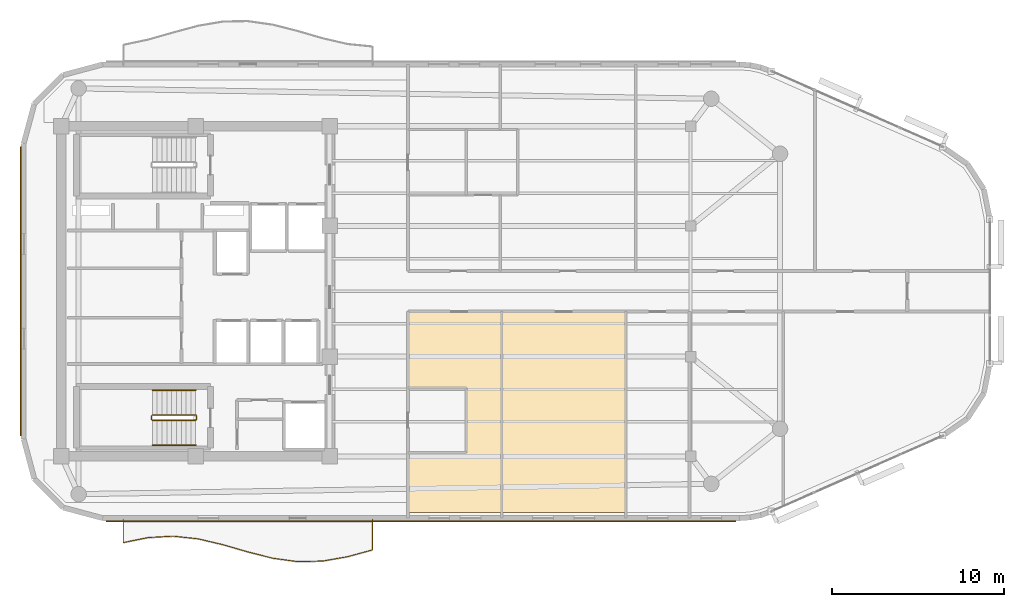
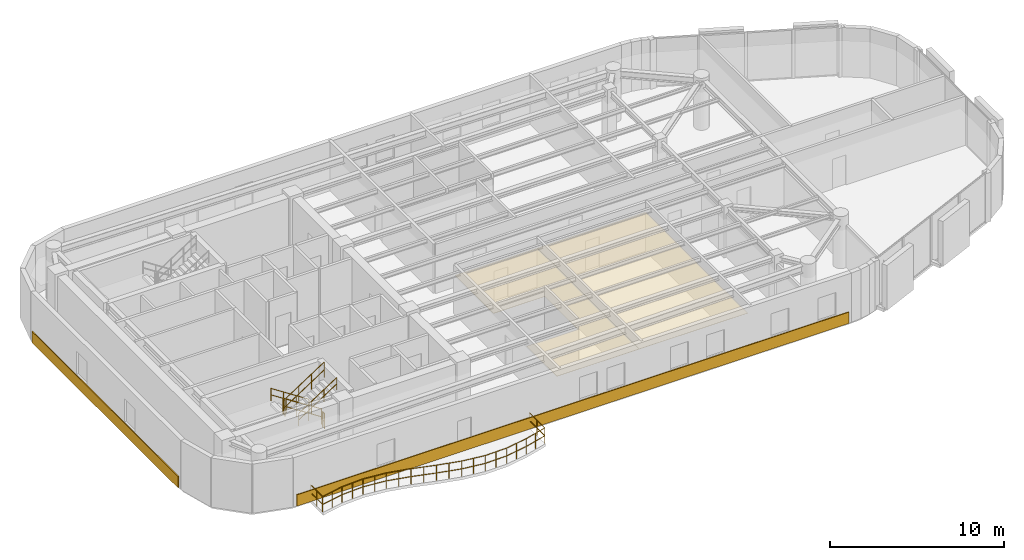
# One storey, part 11 of 14: 7 railings, 4 coverings.
"""IFC4 building model written with IfcOpenShell, lengths in metres."""

from ifc_helpers import new_model, si_unit, direction, frame, origin, origin_2d, place, context, subcontext, project, spatial, polyline, rectangle, circle, outline, extrude, material, layer, layer_set, type_object, element, save


model = new_model("IFC4")

# Units and contexts
model_context = context("Model", 3, precision=1e-05, world=origin(), true_north=direction((0.0, 1.0)))
body_context = subcontext(model_context, "Body", "Model", "MODEL_VIEW")
ifc_project = project(units=[si_unit("LENGTHUNIT", "METRE"), si_unit("AREAUNIT", "SQUARE_METRE"), si_unit("VOLUMEUNIT", "CUBIC_METRE"), si_unit("PLANEANGLEUNIT", "RADIAN"), si_unit("MASSUNIT", "GRAM", prefix="KILO")], contexts=[model_context])

# Site, building, storey
site_placement = place(None, origin())
site = spatial("IfcSite", under=ifc_project, at=site_placement, CompositionType="ELEMENT")
building_placement = place(site_placement, origin())
building = spatial("IfcBuilding", under=site, at=building_placement, Name="An Khanh Terracotta Commons", CompositionType="ELEMENT")
storey_placement = place(building_placement, frame((0.0, 0.0, 284.35009765625)))
storey = spatial("IfcBuildingStorey", under=building, at=storey_placement, Name="L74", CompositionType="ELEMENT", Elevation=284.35009765625)

# Coverings
ifc_material_1 = material(Name="Perforated Mineral-Fibre Acoustic Tile")
ifc_layer_1 = layer(ifc_material_1, 0.02001953125, Name="Perforated Mineral-Fibre Acoustic Tile")
ifc_layer_set_1 = layer_set([ifc_layer_1], Name="Perforated Mineral-Fibre Acoustic Tile")
covering_type_1 = type_object("IfcCoveringType", Name="CEIL-ACOUSTIC-18", PredefinedType="CEILING", material=ifc_layer_set_1)
covering_1_placement = place(storey_placement, frame((0.0, 0.0, 2.64990234375)))
element("IfcCovering", 1, at=covering_1_placement, inside=storey, type_object=covering_type_1, Name="L74 Collaborative Study Lounge Ceiling", PredefinedType="CEILING", context=body_context, shape_type="SweptSolid", body=[
    extrude(outline(polyline([(41.75, 11.1201171875), (41.75, 11.719970703125), (41.75, 14.179931640625), (41.75, 14.60009765625), (45.14990234375, 14.60009765625), (45.14990234375, 18.39990234375), (41.75, 18.39990234375), (41.75, 22.820068359375), (47.2109375, 22.820068359375), (47.2109375, 11.1201171875), (41.75, 11.1201171875)])), origin(), (0.0, 0.0, 1.0), 0.02001953125),
])
covering_2_placement = place(storey_placement, frame((0.0, 0.0, 2.64990234375)))
element("IfcCovering", 2, at=covering_2_placement, inside=storey, type_object=covering_type_1, Name="L74 Collaborative Study Lounge Ceiling", PredefinedType="CEILING", context=body_context, shape_type="SweptSolid", body=[
    extrude(outline(polyline([(47.2109375, 11.1201171875), (47.2109375, 22.820068359375), (54.41796875, 22.820068359375), (54.41796875, 11.1201171875), (47.2109375, 11.1201171875)])), origin(), (0.0, 0.0, 1.0), 0.02001953125),
])
ifc_material_2 = material(Name="Fired Terracotta Rainscreen Cladding", Category="masonry")
ifc_layer_2 = layer(ifc_material_2, 0.06005859375, Name="Fired Terracotta Rainscreen Cladding")
ifc_layer_set_2 = layer_set([ifc_layer_2], Name="Fired Terracotta Rainscreen Cladding")
covering_type_2 = type_object("IfcCoveringType", Name="COV-SPANDREL-TERRA", PredefinedType="CLADDING", material=ifc_layer_set_2)
covering_3_placement = place(storey_placement, frame((42.514892578125, 10.6201171875, 0.02001953125), z_axis=(0.0, 0.0, 1.0), x_axis=(1.0, 0.0, 0.0)))
element("IfcCovering", 3, at=covering_3_placement, inside=storey, type_object=covering_type_2, Name="L74 Terracotta Spandrel Cladding 4", PredefinedType="CLADDING", context=body_context, shape_type="SweptSolid", body=[
    extrude(rectangle(XDim=36.6298828125, YDim=0.06005859375, at=origin_2d()), origin(), (0.0, 0.0, 1.0), 0.800048828125),
])
covering_4_placement = place(storey_placement, frame((19.219970703125, 24.0, 0.02001953125), z_axis=(0.0, 0.0, 1.0), x_axis=(0.0, -1.0, 0.0)))
element("IfcCovering", 4, at=covering_4_placement, inside=storey, type_object=covering_type_2, Name="L74 Terracotta Spandrel Cladding 24", PredefinedType="CLADDING", context=body_context, shape_type="SweptSolid", body=[
    extrude(rectangle(XDim=16.800048828125, YDim=0.06005859375, at=origin_2d()), origin(), (0.0, 0.0, 1.0), 0.800048828125),
])

# Railings
ifc_material_3 = material(Name="Brushed Stainless Steel 316", Category="steel")
railing_type_1 = type_object("IfcRailingType", Name="RAIL-BALUSTRADE-1100", PredefinedType="BALUSTRADE", material=ifc_material_3)
railing_1_placement = place(storey_placement, frame((25.199951171875, 10.739990234375, 0.0)))
element("IfcRailing", 5, at=railing_1_placement, inside=storey, type_object=railing_type_1, Name="L74 S Wave Balcony Guard Balustrade", PredefinedType="BALUSTRADE", context=body_context, shape_type="SweptSolid", body=[
    extrude(circle(Radius=0.02392578125, at=origin_2d()), frame((0.0, 0.0, 1.076171875), z_axis=(0.0, -1.0, 0.0), x_axis=(1.0, 0.0, 0.0)), (0.0, 0.0, 1.0), 1.35498046875),
    extrude(circle(Radius=0.02392578125, at=origin_2d()), frame((0.0, 0.0, 0.52587890625), z_axis=(0.0, -1.0, 0.0), x_axis=(1.0, 0.0, 0.0)), (0.0, 0.0, 1.0), 1.35498046875),
    extrude(circle(Radius=0.02392578125, at=origin_2d()), frame((0.0, -1.35498046875, 1.076171875), z_axis=(0.980447110172, 0.196782784194, 0.0), x_axis=(-0.196782784194, 0.980447110172, 0.0)), (0.0, 0.0, 1.0), 1.478759765625),
    extrude(circle(Radius=0.02392578125, at=origin_2d()), frame((0.0, -1.35498046875, 0.52587890625), z_axis=(0.980447110172, 0.196782784194, 0.0), x_axis=(-0.196782784194, 0.980447110172, 0.0)), (0.0, 0.0, 1.0), 1.478759765625),
    extrude(circle(Radius=0.02392578125, at=origin_2d()), frame((1.449951171875, -1.06396484375, 1.076171875), z_axis=(0.998441678, 0.05580515776, 0.0), x_axis=(-0.05580515776, 0.998441678, 0.0)), (0.0, 0.0, 1.0), 1.452392578125),
    extrude(circle(Radius=0.02392578125, at=origin_2d()), frame((1.449951171875, -1.06396484375, 0.52587890625), z_axis=(0.998441678, 0.05580515776, 0.0), x_axis=(-0.05580515776, 0.998441678, 0.0)), (0.0, 0.0, 1.0), 1.452392578125),
    extrude(circle(Radius=0.02392578125, at=origin_2d()), frame((2.900146484375, -0.98291015625, 1.076171875), z_axis=(0.994332565033, -0.106314392793, 0.0), x_axis=(0.106314392793, 0.994332565033, 0.0)), (0.0, 0.0, 1.0), 1.458251953125),
    extrude(circle(Radius=0.02392578125, at=origin_2d()), frame((2.900146484375, -0.98291015625, 0.52587890625), z_axis=(0.994332565033, -0.106314392793, 0.0), x_axis=(0.106314392793, 0.994332565033, 0.0)), (0.0, 0.0, 1.0), 1.458251953125),
    extrude(circle(Radius=0.02392578125, at=origin_2d()), frame((4.35009765625, -1.137939453125, 1.076171875), z_axis=(0.973285904514, -0.229596489682, 0.0), x_axis=(0.229596489682, 0.973285904514, 0.0)), (0.0, 0.0, 1.0), 1.48974609375),
    extrude(circle(Radius=0.02392578125, at=origin_2d()), frame((4.35009765625, -1.137939453125, 0.52587890625), z_axis=(0.973285904514, -0.229596489682, 0.0), x_axis=(0.229596489682, 0.973285904514, 0.0)), (0.0, 0.0, 1.0), 1.48974609375),
    extrude(circle(Radius=0.02392578125, at=origin_2d()), frame((5.800048828125, -1.47998046875, 1.076171875), z_axis=(0.960529016595, -0.278179812854, 0.0), x_axis=(0.278179812854, 0.960529016595, 0.0)), (0.0, 0.0, 1.0), 1.509521484375),
    extrude(circle(Radius=0.02392578125, at=origin_2d()), frame((5.800048828125, -1.47998046875, 0.52587890625), z_axis=(0.960529016595, -0.278179812854, 0.0), x_axis=(0.278179812854, 0.960529016595, 0.0)), (0.0, 0.0, 1.0), 1.509521484375),
    extrude(circle(Radius=0.02392578125, at=origin_2d()), frame((7.25, -1.89990234375, 1.076171875), z_axis=(0.969398675483, -0.245491767625, 0.0), x_axis=(0.245491767625, 0.969398675483, 0.0)), (0.0, 0.0, 1.0), 1.49560546875),
    extrude(circle(Radius=0.02392578125, at=origin_2d()), frame((7.25, -1.89990234375, 0.52587890625), z_axis=(0.969398675483, -0.245491767625, 0.0), x_axis=(0.245491767625, 0.969398675483, 0.0)), (0.0, 0.0, 1.0), 1.49560546875),
    extrude(circle(Radius=0.02392578125, at=origin_2d()), frame((8.699951171875, -2.26708984375, 1.076171875), z_axis=(0.990807823932, -0.135276960473, 0.0), x_axis=(0.135276960473, 0.990807823932, 0.0)), (0.0, 0.0, 1.0), 1.463623046875),
    extrude(circle(Radius=0.02392578125, at=origin_2d()), frame((8.699951171875, -2.26708984375, 0.52587890625), z_axis=(0.990807823932, -0.135276960473, 0.0), x_axis=(0.135276960473, 0.990807823932, 0.0)), (0.0, 0.0, 1.0), 1.463623046875),
    extrude(circle(Radius=0.02392578125, at=origin_2d()), frame((10.150146484375, -2.465087890625, 1.076171875), z_axis=(0.999706183013, 0.02423938211, 0.0), x_axis=(-0.02423938211, 0.999706183013, 0.0)), (0.0, 0.0, 1.0), 1.450439453125),
    extrude(circle(Radius=0.02392578125, at=origin_2d()), frame((10.150146484375, -2.465087890625, 0.52587890625), z_axis=(0.999706183013, 0.02423938211, 0.0), x_axis=(-0.02423938211, 0.999706183013, 0.0)), (0.0, 0.0, 1.0), 1.450439453125),
    extrude(circle(Radius=0.02392578125, at=origin_2d()), frame((11.60009765625, -2.429931640625, 1.076171875), z_axis=(0.984898537106, 0.173132526139, 0.0), x_axis=(-0.173132526139, 0.984898537106, 0.0)), (0.0, 0.0, 1.0), 1.47216796875),
    extrude(circle(Radius=0.02392578125, at=origin_2d()), frame((11.60009765625, -2.429931640625, 0.52587890625), z_axis=(0.984898537106, 0.173132526139, 0.0), x_axis=(-0.173132526139, 0.984898537106, 0.0)), (0.0, 0.0, 1.0), 1.47216796875),
    extrude(circle(Radius=0.02392578125, at=origin_2d()), frame((13.050048828125, -2.175048828125, 1.076171875), z_axis=(0.964670050602, 0.263460990415, 0.0), x_axis=(-0.263460990415, 0.964670050602, 0.0)), (0.0, 0.0, 1.0), 1.503173828125),
    extrude(circle(Radius=0.02392578125, at=origin_2d()), frame((13.050048828125, -2.175048828125, 0.52587890625), z_axis=(0.964670050602, 0.263460990415, 0.0), x_axis=(-0.263460990415, 0.964670050602, 0.0)), (0.0, 0.0, 1.0), 1.503173828125),
    extrude(circle(Radius=0.02392578125, at=origin_2d()), frame((14.5, -1.779052734375, 1.076171875), z_axis=(0.0, 1.0, 0.0), x_axis=(-1.0, 0.0, 0.0)), (0.0, 0.0, 1.0), 1.779052734375),
    extrude(circle(Radius=0.02392578125, at=origin_2d()), frame((14.5, -1.779052734375, 0.52587890625), z_axis=(0.0, 1.0, 0.0), x_axis=(-1.0, 0.0, 0.0)), (0.0, 0.0, 1.0), 1.779052734375),
    extrude(circle(Radius=0.02099609375, at=origin_2d()), origin(), (0.0, 0.0, 1.0), 1.052001953125),
    extrude(circle(Radius=0.02099609375, at=origin_2d()), frame((0.0, -0.677490234375, 0.0)), (0.0, 0.0, 1.0), 1.052001953125),
    extrude(circle(Radius=0.02099609375, at=origin_2d()), frame((0.0, -1.35498046875, 0.0)), (0.0, 0.0, 1.0), 1.052001953125),
    extrude(circle(Radius=0.02099609375, at=origin_2d()), frame((0.72509765625, -1.20947265625, 0.0)), (0.0, 0.0, 1.0), 1.052001953125),
    extrude(circle(Radius=0.02099609375, at=origin_2d()), frame((1.449951171875, -1.06396484375, 0.0)), (0.0, 0.0, 1.0), 1.052001953125),
    extrude(circle(Radius=0.02099609375, at=origin_2d()), frame((2.175048828125, -1.0234375, 0.0)), (0.0, 0.0, 1.0), 1.052001953125),
    extrude(circle(Radius=0.02099609375, at=origin_2d()), frame((2.900146484375, -0.98291015625, 0.0)), (0.0, 0.0, 1.0), 1.052001953125),
    extrude(circle(Radius=0.02099609375, at=origin_2d()), frame((3.625, -1.060546875, 0.0)), (0.0, 0.0, 1.0), 1.052001953125),
    extrude(circle(Radius=0.02099609375, at=origin_2d()), frame((4.35009765625, -1.137939453125, 0.0)), (0.0, 0.0, 1.0), 1.052001953125),
    extrude(circle(Radius=0.02099609375, at=origin_2d()), frame((5.0751953125, -1.30908203125, 0.0)), (0.0, 0.0, 1.0), 1.052001953125),
    extrude(circle(Radius=0.02099609375, at=origin_2d()), frame((5.800048828125, -1.47998046875, 0.0)), (0.0, 0.0, 1.0), 1.052001953125),
    extrude(circle(Radius=0.02099609375, at=origin_2d()), frame((6.52490234375, -1.68994140625, 0.0)), (0.0, 0.0, 1.0), 1.052001953125),
    extrude(circle(Radius=0.02099609375, at=origin_2d()), frame((7.25, -1.89990234375, 0.0)), (0.0, 0.0, 1.0), 1.052001953125),
    extrude(circle(Radius=0.02099609375, at=origin_2d()), frame((7.97509765625, -2.08349609375, 0.0)), (0.0, 0.0, 1.0), 1.052001953125),
    extrude(circle(Radius=0.02099609375, at=origin_2d()), frame((8.699951171875, -2.26708984375, 0.0)), (0.0, 0.0, 1.0), 1.052001953125),
    extrude(circle(Radius=0.02099609375, at=origin_2d()), frame((9.425048828125, -2.3662109375, 0.0)), (0.0, 0.0, 1.0), 1.052001953125),
    extrude(circle(Radius=0.02099609375, at=origin_2d()), frame((10.150146484375, -2.465087890625, 0.0)), (0.0, 0.0, 1.0), 1.052001953125),
    extrude(circle(Radius=0.02099609375, at=origin_2d()), frame((10.875, -2.447509765625, 0.0)), (0.0, 0.0, 1.0), 1.052001953125),
    extrude(circle(Radius=0.02099609375, at=origin_2d()), frame((11.60009765625, -2.429931640625, 0.0)), (0.0, 0.0, 1.0), 1.052001953125),
    extrude(circle(Radius=0.02099609375, at=origin_2d()), frame((12.3251953125, -2.302490234375, 0.0)), (0.0, 0.0, 1.0), 1.052001953125),
    extrude(circle(Radius=0.02099609375, at=origin_2d()), frame((13.050048828125, -2.175048828125, 0.0)), (0.0, 0.0, 1.0), 1.052001953125),
    extrude(circle(Radius=0.02099609375, at=origin_2d()), frame((13.77490234375, -1.97705078125, 0.0)), (0.0, 0.0, 1.0), 1.052001953125),
    extrude(circle(Radius=0.02099609375, at=origin_2d()), frame((14.5, -1.779052734375, 0.0)), (0.0, 0.0, 1.0), 1.052001953125),
    extrude(circle(Radius=0.02099609375, at=origin_2d()), frame((14.5, -0.8896484375, 0.0)), (0.0, 0.0, 1.0), 1.052001953125),
    extrude(circle(Radius=0.02099609375, at=origin_2d()), frame((14.5, 0.0, 0.0)), (0.0, 0.0, 1.0), 1.052001953125),
])
railing_type_2 = type_object("IfcRailingType", Name="RAIL-HANDRAIL-900", PredefinedType="HANDRAIL", material=ifc_material_3)
railing_2_placement = place(storey_placement, frame((29.409912109375, 18.25, 0.182373046875)))
element("IfcRailing", 6, at=railing_2_placement, inside=storey, type_object=railing_type_2, Name="L74 ST-02 stair handrail 1", PredefinedType="HANDRAIL", context=body_context, shape_type="SweptSolid", body=[
    extrude(circle(Radius=0.02392578125, at=origin_2d()), frame((0.0, 0.0, 0.8759765625), z_axis=(-0.837749427056, 0.0, 0.546054848405), x_axis=(0.0, -1.0, 0.0)), (0.0, 0.0, 1.0), 3.008056640625),
    extrude(circle(Radius=0.02392578125, at=origin_2d()), frame((0.0, 0.0, 0.42578125), z_axis=(-0.837749427056, 0.0, 0.546054848405), x_axis=(0.0, -1.0, 0.0)), (0.0, 0.0, 1.0), 3.008056640625),
    extrude(circle(Radius=0.02099609375, at=origin_2d()), origin(), (0.0, 0.0, 1.0), 0.851806640625),
    extrude(circle(Radius=0.02099609375, at=origin_2d()), frame((-0.840087890625, 0.0, 0.547607421875)), (0.0, 0.0, 1.0), 0.851806640625),
    extrude(circle(Radius=0.02099609375, at=origin_2d()), frame((-1.679931640625, 0.0, 1.094970703125)), (0.0, 0.0, 1.0), 0.851806640625),
    extrude(circle(Radius=0.02099609375, at=origin_2d()), frame((-2.52001953125, 0.0, 1.642578125)), (0.0, 0.0, 1.0), 0.851806640625),
])
railing_3_placement = place(storey_placement, frame((26.889892578125, 15.050048828125, 2.00732421875)))
element("IfcRailing", 7, at=railing_3_placement, inside=storey, type_object=railing_type_2, Name="L74 ST-02 stair handrail 2", PredefinedType="HANDRAIL", context=body_context, shape_type="SweptSolid", body=[
    extrude(circle(Radius=0.02392578125, at=origin_2d()), frame((0.0, 0.0, 0.8759765625), z_axis=(0.837749427056, 0.0, 0.546054848405), x_axis=(0.0, 1.0, 0.0)), (0.0, 0.0, 1.0), 3.008056640625),
    extrude(circle(Radius=0.02392578125, at=origin_2d()), frame((0.0, 0.0, 0.42578125), z_axis=(0.837749427056, 0.0, 0.546054848405), x_axis=(0.0, 1.0, 0.0)), (0.0, 0.0, 1.0), 3.008056640625),
    extrude(circle(Radius=0.02099609375, at=origin_2d()), origin(), (0.0, 0.0, 1.0), 0.851806640625),
    extrude(circle(Radius=0.02099609375, at=origin_2d()), frame((0.840087890625, 0.0, 0.547607421875)), (0.0, 0.0, 1.0), 0.851806640625),
    extrude(circle(Radius=0.02099609375, at=origin_2d()), frame((1.679931640625, 0.0, 1.094970703125)), (0.0, 0.0, 1.0), 0.851806640625),
    extrude(circle(Radius=0.02099609375, at=origin_2d()), frame((2.52001953125, 0.0, 1.642578125)), (0.0, 0.0, 1.0), 0.851806640625),
])
ifc_material_4 = material(Name="Powder-Coated Steel S355J2", Category="steel")
railing_type_3 = type_object("IfcRailingType", Name="RAIL-STAIR-GUARD-1100", PredefinedType="BALUSTRADE", material=ifc_material_4)
railing_4_placement = place(storey_placement, frame((29.409912109375, 16.800048828125, 0.182373046875)))
element("IfcRailing", 8, at=railing_4_placement, inside=storey, type_object=railing_type_3, Name="L74 ST-02 stair guard 1", PredefinedType="BALUSTRADE", context=body_context, shape_type="SweptSolid", body=[
    extrude(circle(Radius=0.02392578125, at=origin_2d()), frame((0.0, 0.0, 1.076171875), z_axis=(-0.837749427056, 0.0, 0.546054848405), x_axis=(0.0, -1.0, 0.0)), (0.0, 0.0, 1.0), 3.008056640625),
    extrude(circle(Radius=0.02392578125, at=origin_2d()), frame((0.0, 0.0, 0.52587890625), z_axis=(-0.837749427056, 0.0, 0.546054848405), x_axis=(0.0, -1.0, 0.0)), (0.0, 0.0, 1.0), 3.008056640625),
    extrude(circle(Radius=0.02099609375, at=origin_2d()), origin(), (0.0, 0.0, 1.0), 1.052001953125),
    extrude(circle(Radius=0.02099609375, at=origin_2d()), frame((-0.840087890625, 0.0, 0.547607421875)), (0.0, 0.0, 1.0), 1.052001953125),
    extrude(circle(Radius=0.02099609375, at=origin_2d()), frame((-1.679931640625, 0.0, 1.094970703125)), (0.0, 0.0, 1.0), 1.052001953125),
    extrude(circle(Radius=0.02099609375, at=origin_2d()), frame((-2.52001953125, 0.0, 1.642578125)), (0.0, 0.0, 1.0), 1.052001953125),
])
railing_5_placement = place(storey_placement, frame((26.840087890625, 16.75, 1.824951171875)))
element("IfcRailing", 9, at=railing_5_placement, inside=storey, type_object=railing_type_3, Name="L74 ST-02 stair guard 2", PredefinedType="BALUSTRADE", context=body_context, shape_type="SweptSolid", body=[
    extrude(circle(Radius=0.02392578125, at=origin_2d()), frame((0.0, 0.0, 1.076171875), z_axis=(0.0, -1.0, 0.0), x_axis=(1.0, 0.0, 0.0)), (0.0, 0.0, 1.0), 0.199951171875),
    extrude(circle(Radius=0.02392578125, at=origin_2d()), frame((0.0, 0.0, 0.52587890625), z_axis=(0.0, -1.0, 0.0), x_axis=(1.0, 0.0, 0.0)), (0.0, 0.0, 1.0), 0.199951171875),
    extrude(circle(Radius=0.02099609375, at=origin_2d()), origin(), (0.0, 0.0, 1.0), 1.052001953125),
    extrude(circle(Radius=0.02099609375, at=origin_2d()), frame((0.0, -0.199951171875, 0.0)), (0.0, 0.0, 1.0), 1.052001953125),
])
railing_6_placement = place(storey_placement, frame((26.889892578125, 16.5, 2.00732421875)))
element("IfcRailing", 10, at=railing_6_placement, inside=storey, type_object=railing_type_3, Name="L74 ST-02 stair guard 3", PredefinedType="BALUSTRADE", context=body_context, shape_type="SweptSolid", body=[
    extrude(circle(Radius=0.02392578125, at=origin_2d()), frame((0.0, 0.0, 1.076171875), z_axis=(0.837749427056, 0.0, 0.546054848405), x_axis=(0.0, 1.0, 0.0)), (0.0, 0.0, 1.0), 3.008056640625),
    extrude(circle(Radius=0.02392578125, at=origin_2d()), frame((0.0, 0.0, 0.52587890625), z_axis=(0.837749427056, 0.0, 0.546054848405), x_axis=(0.0, 1.0, 0.0)), (0.0, 0.0, 1.0), 3.008056640625),
    extrude(circle(Radius=0.02099609375, at=origin_2d()), origin(), (0.0, 0.0, 1.0), 1.052001953125),
    extrude(circle(Radius=0.02099609375, at=origin_2d()), frame((0.840087890625, 0.0, 0.547607421875)), (0.0, 0.0, 1.0), 1.052001953125),
    extrude(circle(Radius=0.02099609375, at=origin_2d()), frame((1.679931640625, 0.0, 1.094970703125)), (0.0, 0.0, 1.0), 1.052001953125),
    extrude(circle(Radius=0.02099609375, at=origin_2d()), frame((2.52001953125, 0.0, 1.642578125)), (0.0, 0.0, 1.0), 1.052001953125),
])
railing_7_placement = place(storey_placement, frame((29.4599609375, 16.75, 0.0)))
element("IfcRailing", 11, at=railing_7_placement, inside=storey, type_object=railing_type_3, Name="L74 ST-02 stair guard 4", PredefinedType="BALUSTRADE", context=body_context, shape_type="SweptSolid", body=[
    extrude(circle(Radius=0.02392578125, at=origin_2d()), frame((0.0, 0.0, 1.076171875), z_axis=(0.0, -1.0, 0.0), x_axis=(1.0, 0.0, 0.0)), (0.0, 0.0, 1.0), 0.199951171875),
    extrude(circle(Radius=0.02392578125, at=origin_2d()), frame((0.0, 0.0, 0.52587890625), z_axis=(0.0, -1.0, 0.0), x_axis=(1.0, 0.0, 0.0)), (0.0, 0.0, 1.0), 0.199951171875),
    extrude(circle(Radius=0.02099609375, at=origin_2d()), origin(), (0.0, 0.0, 1.0), 1.052001953125),
    extrude(circle(Radius=0.02099609375, at=origin_2d()), frame((0.0, -0.199951171875, 0.0)), (0.0, 0.0, 1.0), 1.052001953125),
])

save(model, "model.ifc")
